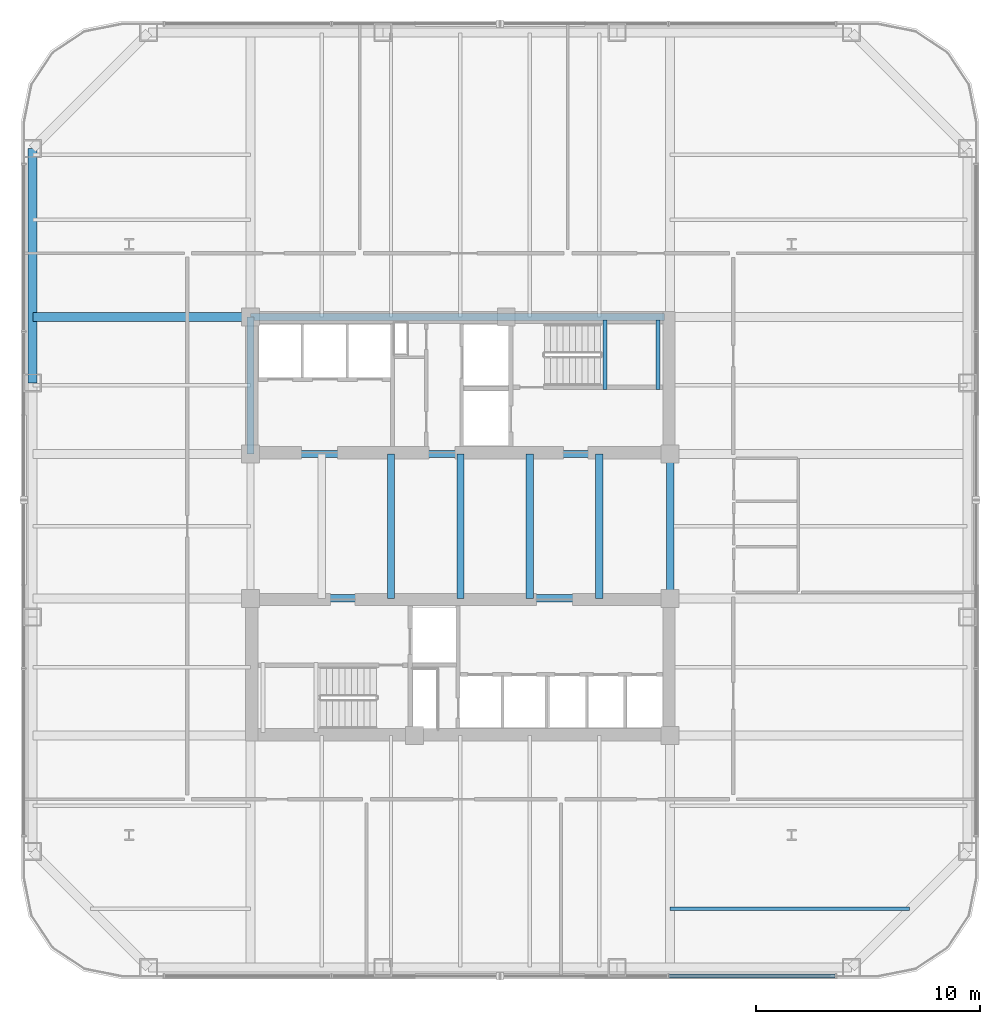
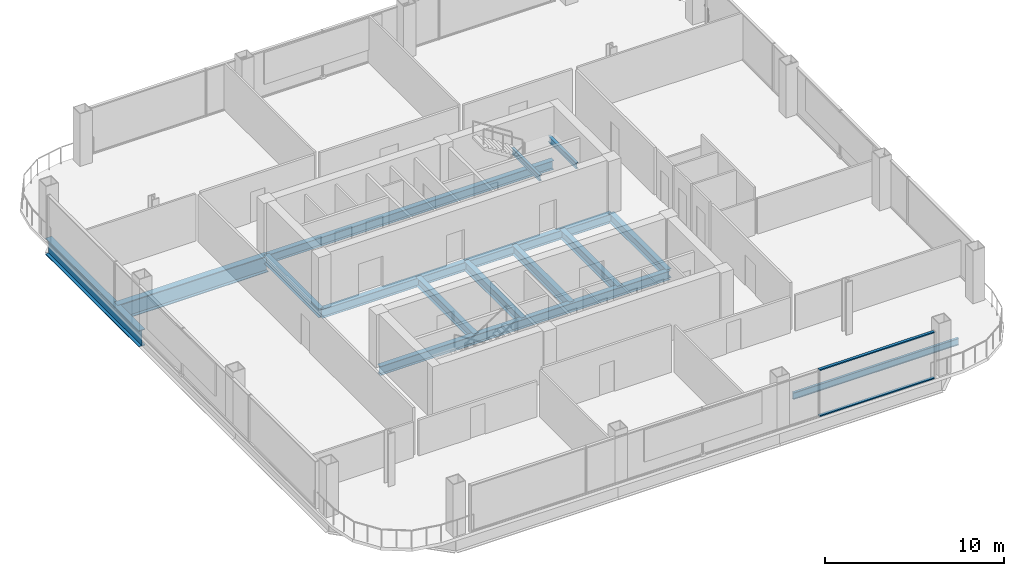
# One storey, part 8 of 24: 14 beams, 2 members, 1 element without a shape of its own.
"""IFC4 building model written with IfcOpenShell, lengths in metres."""

from ifc_helpers import new_model, si_unit, direction, frame, origin, origin_2d, place, context, subcontext, project, spatial, hollow_rectangle, i_section, extrude, material, layer, layer_set, material_profile, profile_set, type_object, element, aggregate, save


model = new_model("IFC4")

# Units and contexts
model_context = context("Model", 3, precision=1e-05, world=origin(), true_north=direction((0.0, 1.0)))
body_context = subcontext(model_context, "Body", "Model", "MODEL_VIEW")
ifc_project = project(units=[si_unit("LENGTHUNIT", "METRE"), si_unit("AREAUNIT", "SQUARE_METRE"), si_unit("VOLUMEUNIT", "CUBIC_METRE"), si_unit("PLANEANGLEUNIT", "RADIAN"), si_unit("MASSUNIT", "GRAM", prefix="KILO")], contexts=[model_context])

# Site, building, storey
site_placement = place(None, origin())
site = spatial("IfcSite", under=ifc_project, at=site_placement, CompositionType="ELEMENT")
building_placement = place(site_placement, origin())
building = spatial("IfcBuilding", under=site, at=building_placement, Name="Qhalaya Broadcast Tower", CompositionType="ELEMENT")
storey_placement = place(building_placement, frame((0.0, 0.0, 61.5)))
storey = spatial("IfcBuildingStorey", under=building, at=storey_placement, Name="L17", CompositionType="ELEMENT", Elevation=61.5)

# Beams
ifc_material_1 = material(Name="Structural Steel ASTM A992 Grade 50", Category="steel")
ifc_material_profile_1 = material_profile(ifc_material_1, i_section(OverallWidth=0.154052734375, OverallDepth=0.458984375, WebThickness=0.009033203125, FlangeThickness=0.015380859375, at=origin_2d()), Name="W18X46")
ifc_profile_set_1 = profile_set([ifc_material_profile_1], Name="Structural Steel ASTM A992 Grade 50")
beam_type_1 = type_object("IfcBeamType", Name="Composite Floor Joist J04", PredefinedType="JOIST", material=ifc_profile_set_1)
beam_1_placement = place(storey_placement, frame((9.375, -16.5, -0.449462890625), z_axis=(1.0, 0.0, 0.0), x_axis=(0.0, 1.0, 0.0)))
element("IfcBeam", 1, at=beam_1_placement, inside=storey, type_object=beam_type_1, Name="L17 J04 L17-JWE1E-1", PredefinedType="JOIST", context=body_context, shape_type="SweptSolid", body=[
    extrude(i_section(OverallWidth=0.154052734375, OverallDepth=0.458984375, WebThickness=0.009033203125, FlangeThickness=0.015380859375, at=origin_2d()), origin(), (0.0, 0.0, 1.0), 10.69677734375),
])
ifc_material_profile_2 = material_profile(ifc_material_1, i_section(OverallWidth=0.323974609375, OverallDepth=0.612060546875, WebThickness=0.0126953125, FlangeThickness=0.01904296875, at=origin_2d()), Name="W24X104")
ifc_profile_set_2 = profile_set([ifc_material_profile_2], Name="Structural Steel ASTM A992 Grade 50")
beam_type_2 = type_object("IfcBeamType", Name="Core Frame Tie Beam B04", PredefinedType="BEAM", material=ifc_profile_set_2)
beam_2_placement = place(storey_placement, frame((-9.375, 3.824951171875, -0.52587890625), z_axis=(1.0, 0.0, 0.0), x_axis=(0.0, 1.0, 0.0)))
element("IfcBeam", 2, at=beam_2_placement, inside=storey, type_object=beam_type_2, Name="L17 B04 L17-CCN1", PredefinedType="BEAM", context=body_context, shape_type="SweptSolid", body=[
    extrude(i_section(OverallWidth=0.323974609375, OverallDepth=0.612060546875, WebThickness=0.0126953125, FlangeThickness=0.01904296875, at=origin_2d()), origin(), (0.0, 0.0, 1.0), 18.75),
])
beam_3_placement = place(storey_placement, frame((-9.375, 3.824951171875, -0.52587890625), z_axis=(0.0, 1.0, 0.0), x_axis=(-1.0, 0.0, 0.0)))
element("IfcBeam", 3, at=beam_3_placement, inside=storey, type_object=beam_type_2, Name="L17 B04 L17-CCN2", PredefinedType="BEAM", context=body_context, shape_type="SweptSolid", body=[
    extrude(i_section(OverallWidth=0.323974609375, OverallDepth=0.612060546875, WebThickness=0.0126953125, FlangeThickness=0.01904296875, at=origin_2d()), origin(), (0.0, 0.0, 1.0), 6.125),
])
beam_4_placement = place(storey_placement, frame((-9.375, 9.949951171875, -0.52587890625), z_axis=(1.0, 0.0, 0.0), x_axis=(0.0, 1.0, 0.0)))
element("IfcBeam", 4, at=beam_4_placement, inside=storey, type_object=beam_type_2, Name="L17 B04 L17-CCN3", PredefinedType="BEAM", context=body_context, shape_type="SweptSolid", body=[
    extrude(i_section(OverallWidth=0.323974609375, OverallDepth=0.612060546875, WebThickness=0.0126953125, FlangeThickness=0.01904296875, at=origin_2d()), origin(), (0.0, 0.0, 1.0), 18.4951171875),
])
beam_5_placement = place(storey_placement, frame((-9.375, -2.625, -0.52587890625), z_axis=(1.0, 0.0, 0.0), x_axis=(0.0, 1.0, 0.0)))
element("IfcBeam", 5, at=beam_5_placement, inside=storey, type_object=beam_type_2, Name="L17 B04 L17-CCS1", PredefinedType="BEAM", context=body_context, shape_type="SweptSolid", body=[
    extrude(i_section(OverallWidth=0.323974609375, OverallDepth=0.612060546875, WebThickness=0.0126953125, FlangeThickness=0.01904296875, at=origin_2d()), origin(), (0.0, 0.0, 1.0), 18.75),
])
for number, where, z_axis, x_axis, name in (
    (6, (9.375, -2.625, -0.52587890625), (0.0, 1.0, 0.0), (-1.0, 0.0, 0.0), "L17 B04 L17-CCE"),
    (7, (-3.10009765625, -2.625, -0.52587890625), (0.0, 1.0, 0.0), (-1.0, 0.0, 0.0), "L17 B04 L17-JC2-1"),
    (8, (0.0, -2.625, -0.52587890625), (0.0, 1.0, 0.0), (-1.0, 0.0, 0.0), "L17 B04 L17-JC3-1"),
    (9, (3.10009765625, -2.625, -0.52587890625), (0.0, 1.0, 0.0), (-1.0, 0.0, 0.0), "L17 B04 L17-JC4-1"),
    (10, (6.199951171875, -2.625, -0.52587890625), (0.0, 1.0, 0.0), (-1.0, 0.0, 0.0), "L17 B04 L17-JC5-1"),
):
    element("IfcBeam", number, at=place(storey_placement, frame(where, z_axis=z_axis, x_axis=x_axis)), inside=storey, type_object=beam_type_2, Name=name, PredefinedType="BEAM", context=body_context, shape_type="SweptSolid", body=[
        extrude(i_section(OverallWidth=0.323974609375, OverallDepth=0.612060546875, WebThickness=0.0126953125, FlangeThickness=0.01904296875, at=origin_2d()), origin(), (0.0, 0.0, 1.0), 6.449951171875),
    ])
ifc_material_profile_3 = material_profile(ifc_material_1, i_section(OverallWidth=0.404052734375, OverallDepth=1.117919921875, WebThickness=0.026123046875, FlangeThickness=0.044921875, at=origin_2d()), Name="W44X335")
ifc_profile_set_3 = profile_set([ifc_material_profile_3], Name="Structural Steel ASTM A992 Grade 50")
beam_type_3 = type_object("IfcBeamType", Name="Podium Long-Span Primary Girder PG1", PredefinedType="USERDEFINED", material=ifc_profile_set_3)
beam_6_placement = place(storey_placement, frame((-19.1298828125, 17.469970703125, -0.779052734375), z_axis=(0.0, -1.0, 0.0), x_axis=(1.0, 0.0, 0.0)))
element("IfcBeam", 11, at=beam_6_placement, inside=storey, type_object=beam_type_3, Name="L17 PG1 L17-SPR-13", ObjectType="GIRDER", PredefinedType="USERDEFINED", context=body_context, shape_type="SweptSolid", body=[
    extrude(i_section(OverallWidth=0.404052734375, OverallDepth=1.117919921875, WebThickness=0.026123046875, FlangeThickness=0.044921875, at=origin_2d()), origin(), (0.0, 0.0, 1.0), 10.466552734375),
])
beam_7_placement = place(storey_placement, frame((-19.110107421875, 9.949951171875, -0.779052734375), z_axis=(1.0, 0.0, 0.0), x_axis=(0.0, 1.0, 0.0)))
element("IfcBeam", 12, at=beam_7_placement, inside=storey, type_object=beam_type_3, Name="L17 PG1 L17-PGYW4-1", ObjectType="GIRDER", PredefinedType="USERDEFINED", context=body_context, shape_type="SweptSolid", body=[
    extrude(i_section(OverallWidth=0.404052734375, OverallDepth=1.117919921875, WebThickness=0.026123046875, FlangeThickness=0.044921875, at=origin_2d()), origin(), (0.0, 0.0, 1.0), 9.735107421875),
])

# Curtain wall, members
ifc_material_2 = material(Name="Solar-Control Low-E Triple Glazing", Category="glass")
ifc_layer = layer(ifc_material_2, 0.219970703125, Name="Solar-Control Low-E Triple Glazing")
ifc_layer_set = layer_set([ifc_layer], Name="Solar-Control Low-E Triple Glazing")
curtain_wall_type = type_object("IfcCurtainWallType", Name="Recessed Sky-Garden Neck Ribbon Curtain Wall CW-05", PredefinedType="NOTDEFINED", material=ifc_layer_set)
curtain_wall_placement = place(storey_placement, origin())
curtain_wall = element("IfcCurtainWall", 13, at=curtain_wall_placement, inside=storey, type_object=curtain_wall_type, Name="L17 Unitised Curtain Wall L17-CW-S", PredefinedType="NOTDEFINED")
ifc_material_3 = material(Name="Anodised Aluminium 6063-T6", Category="aluminium")
ifc_material_profile_4 = material_profile(ifc_material_3, hollow_rectangle(XDim=0.074951171875, YDim=0.179931640625, WallThickness=0.00390625, at=origin_2d()), Name="ALU-TRN 75x180x4")
ifc_profile_set_4 = profile_set([ifc_material_profile_4], Name="Anodised Aluminium 6063-T6")
member_type = type_object("IfcMemberType", Name="Unitised Curtain-Wall Transom T01", PredefinedType="USERDEFINED", material=ifc_profile_set_4)
member_1_placement = place(storey_placement, frame((9.33251953125, -19.510009765625, 0.03759765625), z_axis=(1.0, 0.0, 0.0), x_axis=(0.0, 0.0, 1.0)))
member_1 = element("IfcMember", 14, at=member_1_placement, type_object=member_type, Name="CW-05 transom 4.1", ObjectType="TRANSOM", PredefinedType="USERDEFINED", context=body_context, shape_type="SweptSolid", body=[
    extrude(hollow_rectangle(XDim=0.074951171875, YDim=0.179931640625, WallThickness=0.00390625, at=origin_2d()), origin(), (0.0, 0.0, 1.0), 7.41259765625),
])
member_2_placement = place(storey_placement, frame((9.33251953125, -19.510009765625, 3.1826171875), z_axis=(1.0, 0.0, 0.0), x_axis=(0.0, 0.0, 1.0)))
member_2 = element("IfcMember", 15, at=member_2_placement, type_object=member_type, Name="CW-05 transom 4.2", ObjectType="TRANSOM", PredefinedType="USERDEFINED", context=body_context, shape_type="SweptSolid", body=[
    extrude(hollow_rectangle(XDim=0.074951171875, YDim=0.179931640625, WallThickness=0.00390625, at=origin_2d()), origin(), (0.0, 0.0, 1.0), 7.41259765625),
])
aggregate(curtain_wall, [member_1, member_2])

# Beams
ifc_material_profile_5 = material_profile(ifc_material_1, i_section(OverallWidth=0.177978515625, OverallDepth=0.406005859375, WebThickness=0.0078125, FlangeThickness=0.0126953125, at=origin_2d()), Name="W16X40")
ifc_profile_set_5 = profile_set([ifc_material_profile_5], Name="Structural Steel ASTM A992 Grade 50")
beam_type_4 = type_object("IfcBeamType", Name="Upper Perimeter Spandrel Beam SP2", PredefinedType="SPANDREL", material=ifc_profile_set_5)
for number, where, z_axis, x_axis, name in (
    (16, (6.455078125, 6.699951171875, 1.39697265625), (0.0, 1.0, 0.0), (-1.0, 0.0, 0.0), "L17 ST-1 Half-Landing Bearer Beam 1"),
    (17, (8.830078125, 6.699951171875, 1.39697265625), (0.0, 1.0, 0.0), (-1.0, 0.0, 0.0), "L17 ST-1 Half-Landing Bearer Beam 2"),
):
    element("IfcBeam", number, at=place(storey_placement, frame(where, z_axis=z_axis, x_axis=x_axis)), inside=storey, type_object=beam_type_4, Name=name, PredefinedType="SPANDREL", context=body_context, shape_type="SweptSolid", body=[
        extrude(i_section(OverallWidth=0.177978515625, OverallDepth=0.406005859375, WebThickness=0.0078125, FlangeThickness=0.0126953125, at=origin_2d()), origin(), (0.0, 0.0, 1.0), 3.1201171875),
    ])

save(model, "model.ifc")
